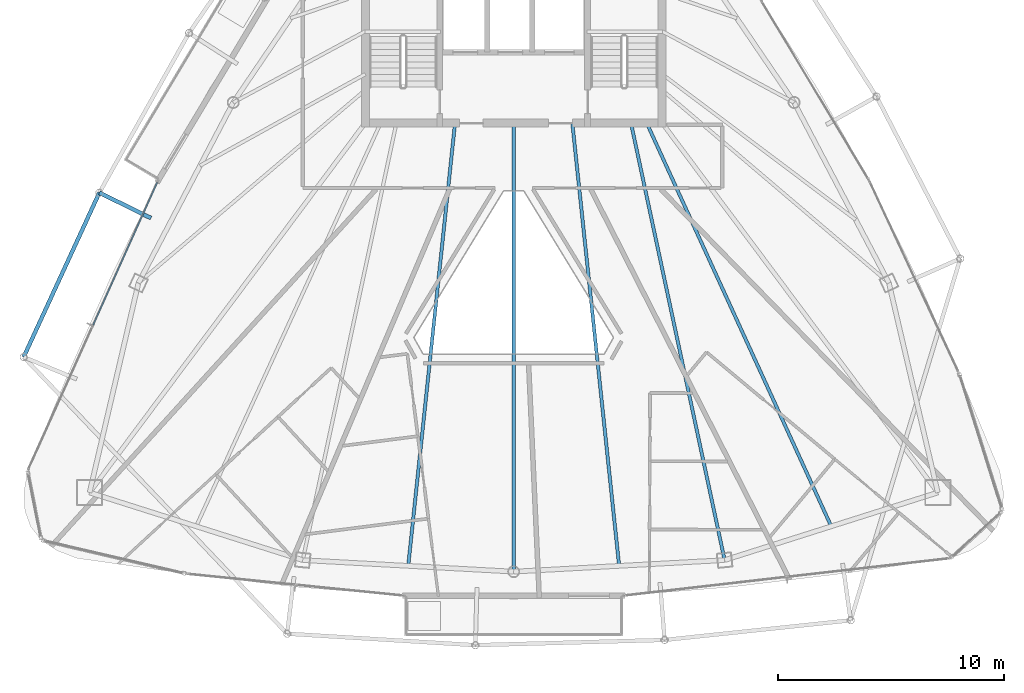
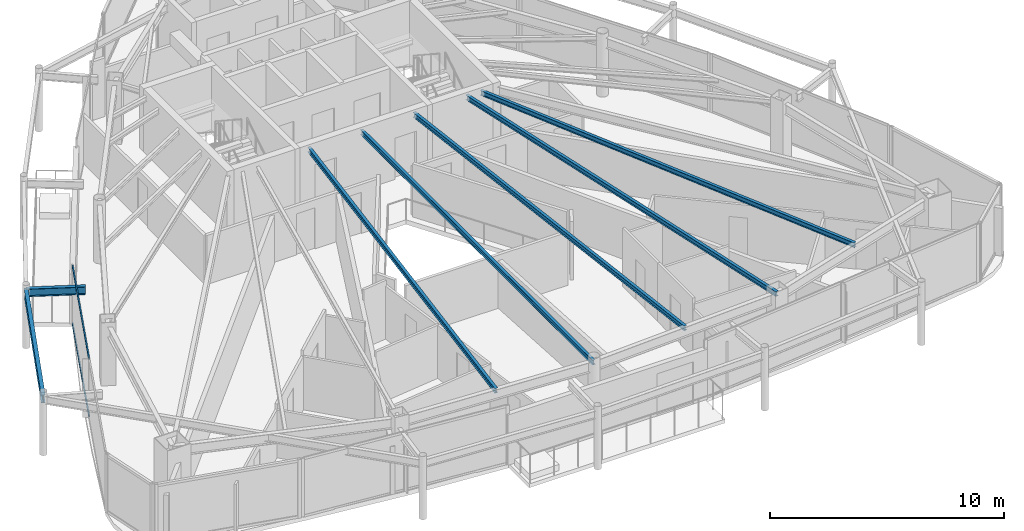
# One storey, part 9 of 30: 7 beams, 2 members, 1 element without a shape of its own.
"""IFC4 building model written with IfcOpenShell, lengths in metres."""

from ifc_helpers import new_model, si_unit, direction, frame, origin, origin_2d, place, context, subcontext, project, spatial, hollow_rectangle, i_section, extrude, material, layer, layer_set, material_profile, profile_set, type_object, element, aggregate, save


model = new_model("IFC4")

# Units and contexts
model_context = context("Model", 3, precision=1e-05, world=origin(), true_north=direction((0.0, 1.0)))
body_context = subcontext(model_context, "Body", "Model", "MODEL_VIEW")
ifc_project = project(units=[si_unit("LENGTHUNIT", "METRE"), si_unit("AREAUNIT", "SQUARE_METRE"), si_unit("VOLUMEUNIT", "CUBIC_METRE"), si_unit("PLANEANGLEUNIT", "RADIAN"), si_unit("MASSUNIT", "GRAM", prefix="KILO")], contexts=[model_context])

# Site, building, storey
site_placement = place(None, origin())
site = spatial("IfcSite", under=ifc_project, at=site_placement, CompositionType="ELEMENT")
building_placement = place(site_placement, origin())
building = spatial("IfcBuilding", under=site, at=building_placement, Name="Orvanel Arch Residences", CompositionType="ELEMENT")
storey_placement = place(building_placement, frame((0.0, 0.0, 270.050048828125)))
storey = spatial("IfcBuildingStorey", under=building, at=storey_placement, Name="L77", CompositionType="ELEMENT", Elevation=270.050048828125)

# Beams
ifc_material_1 = material(Name="Structural steel AS/NZS 3679.1 Grade 300 (300 MPa)", Category="steel")
ifc_material_profile_1 = material_profile(ifc_material_1, i_section(OverallWidth=0.14599609375, OverallDepth=0.251953125, WebThickness=0.006103515625, FlangeThickness=0.008544921875, at=origin_2d()), Name="250UB31.4")
ifc_profile_set_1 = profile_set([ifc_material_profile_1], Name="Structural steel AS/NZS 3679.1 Grade 300 (300 MPa)")
beam_type_1 = type_object("IfcBeamType", Name="BJ-250UB", PredefinedType="JOIST", material=ifc_profile_set_1)
beam_1_placement = place(storey_placement, frame((38.199951171875, 26.72509765625, 2.933837890625), z_axis=(0.209547604985, -0.977798446125, 0.0), x_axis=(0.977798446125, 0.209547604985, 0.0)))
element("IfcBeam", 1, at=beam_1_placement, inside=storey, type_object=beam_type_1, Name="L77 SE Wing Floor Joist", PredefinedType="JOIST", context=body_context, shape_type="SweptSolid", body=[
    extrude(i_section(OverallWidth=0.14599609375, OverallDepth=0.251953125, WebThickness=0.006103515625, FlangeThickness=0.008544921875, at=origin_2d()), origin(), (0.0, 0.0, 1.0), 19.809814453125),
])
beam_2_placement = place(storey_placement, frame((33.0, 26.72509765625, 2.933837890625), z_axis=(0.0, -1.0, 0.0), x_axis=(1.0, 0.0, 0.0)))
element("IfcBeam", 2, at=beam_2_placement, inside=storey, type_object=beam_type_1, Name="L77 SSW Wing Floor Joist", PredefinedType="JOIST", context=body_context, shape_type="SweptSolid", body=[
    extrude(i_section(OverallWidth=0.14599609375, OverallDepth=0.251953125, WebThickness=0.006103515625, FlangeThickness=0.008544921875, at=origin_2d()), origin(), (0.0, 0.0, 1.0), 19.881103515625),
])
for number, where, z_axis, x_axis, name in (
    (3, (30.39990234375, 26.72509765625, 2.933837890625), (-0.105143936131, -0.994457014, 0.0), (0.994457014, -0.105143936131, 0.0), "L77 WSW2 Wing Floor Joist"),
    (4, (35.60009765625, 26.72509765625, 2.933837890625), (0.105143936131, -0.994457014, 0.0), (0.994457014, 0.105143936131, 0.0), "L77 ESE2 Wing Floor Joist"),
):
    element("IfcBeam", number, at=place(storey_placement, frame(where, z_axis=z_axis, x_axis=x_axis)), inside=storey, type_object=beam_type_1, Name=name, PredefinedType="JOIST", context=body_context, shape_type="SweptSolid", body=[
        extrude(i_section(OverallWidth=0.14599609375, OverallDepth=0.251953125, WebThickness=0.006103515625, FlangeThickness=0.008544921875, at=origin_2d()), origin(), (0.0, 0.0, 1.0), 19.734375),
    ])
beam_3_placement = place(storey_placement, frame((38.89990234375, 26.72509765625, 2.933837890625), z_axis=(0.416009574066, -0.909360233508, 0.0), x_axis=(0.909360233508, 0.416009574066, 0.0)))
element("IfcBeam", 5, at=beam_3_placement, inside=storey, type_object=beam_type_1, Name="L77 JADD2 Wing Floor Joist", PredefinedType="JOIST", context=body_context, shape_type="SweptSolid", body=[
    extrude(i_section(OverallWidth=0.14599609375, OverallDepth=0.251953125, WebThickness=0.006103515625, FlangeThickness=0.008544921875, at=origin_2d()), origin(), (0.0, 0.0, 1.0), 19.653564453125),
])
ifc_material_profile_2 = material_profile(ifc_material_1, i_section(OverallWidth=0.177978515625, OverallDepth=0.406005859375, WebThickness=0.0078125, FlangeThickness=0.0126953125, at=origin_2d()), Name="410UB59.7")
ifc_profile_set_2 = profile_set([ifc_material_profile_2], Name="Structural steel AS/NZS 3679.1 Grade 300 (300 MPa)")
beam_type_2 = type_object("IfcBeamType", Name="OB-410UB-EXT", PredefinedType="SPANDREL", material=ifc_profile_set_2)
beam_4_placement = place(storey_placement, frame((16.919921875, 22.51708984375, 2.85693359375), z_axis=(-0.897376075527, 0.441266562376, 0.0), x_axis=(-0.441266562376, -0.897376075527, 0.0)))
element("IfcBeam", 6, at=beam_4_placement, inside=storey, type_object=beam_type_2, Name="L77 Outer Frame Radial Tie Beam 03", PredefinedType="SPANDREL", context=body_context, shape_type="SweptSolid", body=[
    extrude(i_section(OverallWidth=0.177978515625, OverallDepth=0.406005859375, WebThickness=0.0078125, FlangeThickness=0.0126953125, at=origin_2d()), origin(), (0.0, 0.0, 1.0), 2.549560546875),
])
beam_5_placement = place(storey_placement, frame((14.632080078125, 23.64208984375, 2.85693359375), z_axis=(-0.418297492254, -0.908310083602, 0.0), x_axis=(0.908310083602, -0.418297492254, 0.0)))
element("IfcBeam", 7, at=beam_5_placement, inside=storey, type_object=beam_type_2, Name="L77 Outer Perimeter Floor Ring Beam 03", PredefinedType="SPANDREL", context=body_context, shape_type="SweptSolid", body=[
    extrude(i_section(OverallWidth=0.177978515625, OverallDepth=0.406005859375, WebThickness=0.0078125, FlangeThickness=0.0126953125, at=origin_2d()), origin(), (0.0, 0.0, 1.0), 8.0205078125),
])

# Curtain wall, members
ifc_material_2 = material(Name="Bronze-anodised aluminium AA6063-T6", Category="aluminium")
ifc_layer = layer(ifc_material_2, 0.175048828125)
ifc_layer_set = layer_set([ifc_layer], Name="Bronze-anodised aluminium AA6063-T6")
curtain_wall_type = type_object("IfcCurtainWallType", Name="CW4-HI-SYS", PredefinedType="NOTDEFINED", material=ifc_layer_set)
curtain_wall_placement = place(storey_placement, origin())
curtain_wall = element("IfcCurtainWall", 8, at=curtain_wall_placement, inside=storey, type_object=curtain_wall_type, Name="L77 CW4-HI-SYS Unitised Curtain Wall", PredefinedType="NOTDEFINED")
ifc_material_profile_3 = material_profile(ifc_material_2, hollow_rectangle(XDim=0.06005859375, YDim=0.1201171875, WallThickness=0.00341796875, at=origin_2d()), Name="ALU120x60x3.5")
ifc_profile_set_3 = profile_set([ifc_material_profile_3], Name="Bronze-anodised aluminium AA6063-T6")
member_type = type_object("IfcMemberType", Name="TRN-120x60", PredefinedType="USERDEFINED", material=ifc_profile_set_3)
member_1_placement = place(storey_placement, frame((17.201416015625, 24.101806640625, 0.030029296875), z_axis=(-0.409848423616, -0.91215364367, 0.0), x_axis=(0.91215364367, -0.409848423616, 0.0)))
member_1 = element("IfcMember", 9, at=member_1_placement, type_object=member_type, Name="CW-S4 transom 1.1", ObjectType="TRANSOM", PredefinedType="USERDEFINED", context=body_context, shape_type="SweptSolid", body=[
    extrude(hollow_rectangle(XDim=0.06005859375, YDim=0.1201171875, WallThickness=0.00341796875, at=origin_2d()), origin(), (0.0, 0.0, 1.0), 6.942138671875),
])
member_2_placement = place(storey_placement, frame((17.201416015625, 24.101806640625, 3.030029296875), z_axis=(-0.409848423616, -0.91215364367, 0.0), x_axis=(0.91215364367, -0.409848423616, 0.0)))
member_2 = element("IfcMember", 10, at=member_2_placement, type_object=member_type, Name="CW-S4 transom 1.2", ObjectType="TRANSOM", PredefinedType="USERDEFINED", context=body_context, shape_type="SweptSolid", body=[
    extrude(hollow_rectangle(XDim=0.06005859375, YDim=0.1201171875, WallThickness=0.00341796875, at=origin_2d()), origin(), (0.0, 0.0, 1.0), 6.942138671875),
])
aggregate(curtain_wall, [member_1, member_2])

save(model, "model.ifc")
